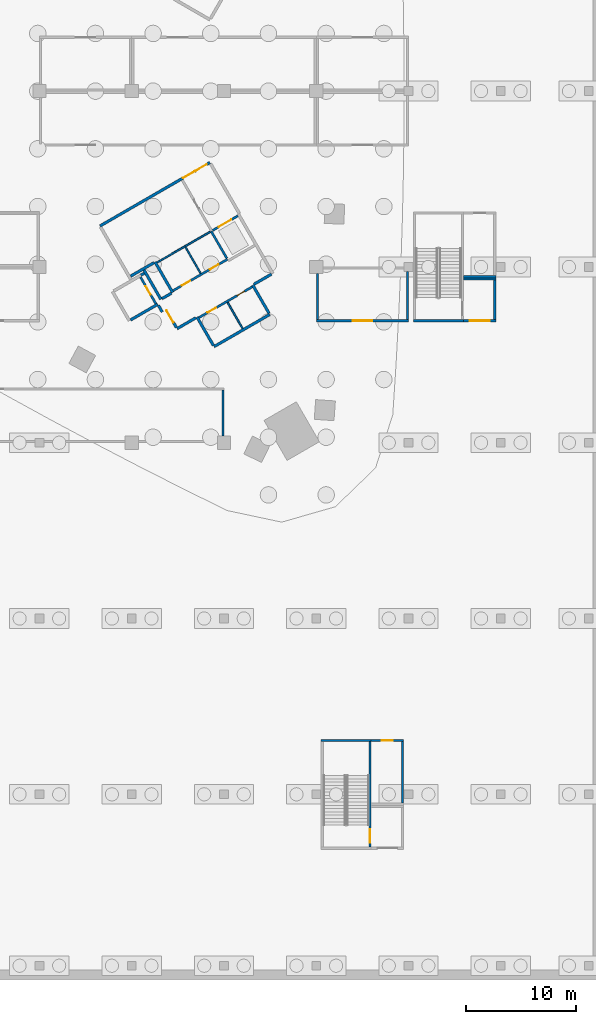
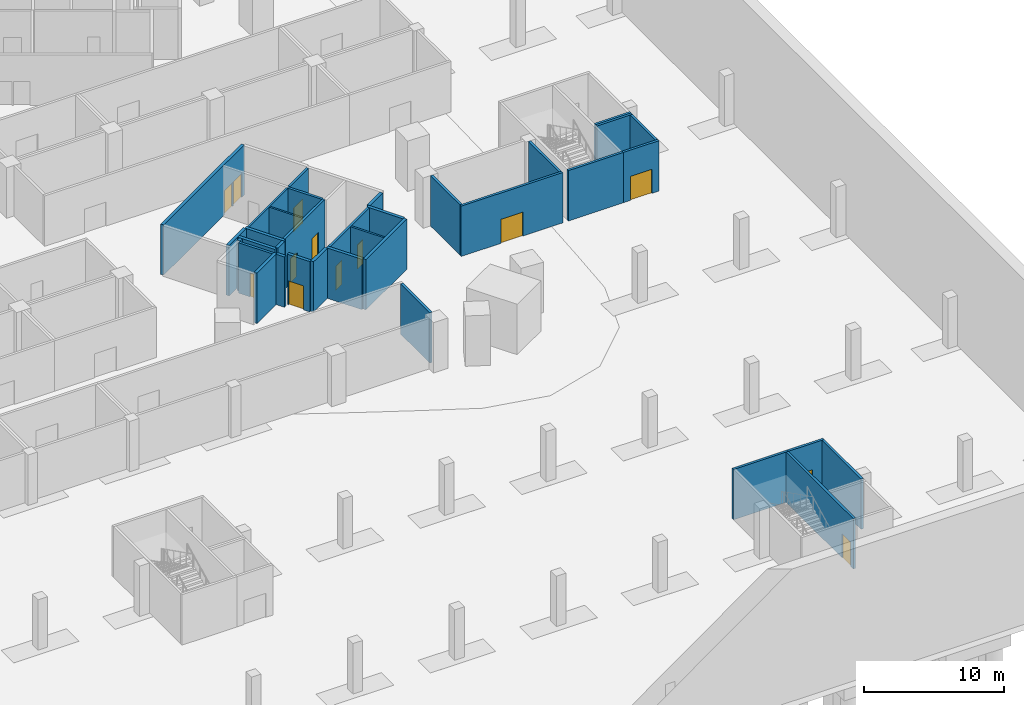
# One storey, part 16 of 46: 35 walls, 13 doors, 13 openings.
"""IFC4 building model written with IfcOpenShell, lengths in metres."""

from ifc_helpers import new_model, si_unit, direction, frame, frame_2d, origin, place, context, subcontext, project, spatial, rectangle, extrude, material, layer, layer_set, type_object, element, fill, save


model = new_model("IFC4")

# Units and contexts
model_context = context("Model", 3, precision=1e-05, world=origin(), true_north=direction((0.0, 1.0)))
body_context = subcontext(model_context, "Body", "Model", "MODEL_VIEW")
ifc_project = project(units=[si_unit("LENGTHUNIT", "METRE"), si_unit("AREAUNIT", "SQUARE_METRE"), si_unit("VOLUMEUNIT", "CUBIC_METRE"), si_unit("PLANEANGLEUNIT", "RADIAN"), si_unit("MASSUNIT", "GRAM", prefix="KILO")], contexts=[model_context])

# Site, building, storey
site_placement = place(None, origin())
site = spatial("IfcSite", under=ifc_project, at=site_placement, CompositionType="ELEMENT")
building_placement = place(site_placement, origin())
building = spatial("IfcBuilding", under=site, at=building_placement, Name="Tamra Quay Hotel Tower", CompositionType="ELEMENT")
storey_placement = place(building_placement, frame((0.0, 0.0, -12.0)))
storey = spatial("IfcBuildingStorey", under=building, at=storey_placement, Name="B3", CompositionType="ELEMENT", Elevation=-12.0)

# Wall
ifc_material_1 = material(Name="Blockwork", Category="masonry")
ifc_layer_1 = layer(ifc_material_1, 0.199951171875)
ifc_layer_set_1 = layer_set([ifc_layer_1], Name="Car park room wall 200")
wall_type_1 = type_object("IfcWallType", Name="Car park room wall 200", PredefinedType="PARTITIONING", material=ifc_layer_set_1)
wall_1_placement = place(storey_placement, frame((11.60009765625, -31.39990234375, 0.0), z_axis=(0.0, 0.0, 1.0), x_axis=(0.0, 1.0, 0.0)))
element("IfcWall", 1, at=wall_1_placement, inside=storey, type_object=wall_type_1, Name="PW", PredefinedType="PARTITIONING", context=body_context, shape_type="SweptSolid", body=[
    extrude(rectangle(XDim=4.199951171875, YDim=0.199951171875, at=frame_2d((2.10009765625, 0.0))), origin(), (0.0, 0.0, 1.0), 4.39990234375),
])

# Wall, opening, door
wall_2_placement = place(storey_placement, frame((20.10009765625, -20.89990234375, 0.0), z_axis=(0.0, 0.0, 1.0), x_axis=(1.0, 0.0, 0.0)))
wall_2 = element("IfcWall", 2, at=wall_2_placement, inside=storey, type_object=wall_type_1, Name="PW", PredefinedType="PARTITIONING", context=body_context, shape_type="SweptSolid", body=[
    extrude(rectangle(XDim=8.39990234375, YDim=0.199951171875, at=frame_2d((4.199951171875, 0.0))), origin(), (0.0, 0.0, 1.0), 4.39990234375),
])
opening_1_placement = place(wall_2_placement, frame((3.300048828125, 0.0, 0.0)))
opening_1 = element("IfcOpeningElement", 3, at=opening_1_placement, cuts=wall_2, Name="Opening PD2", PredefinedType="OPENING", context=body_context, shape_type="SweptSolid", body=[
    extrude(rectangle(XDim=1.800048828125, YDim=2.10009765625, at=frame_2d((0.89990234375, 1.050048828125))), frame((0.0, 0.10986328125, 0.0), z_axis=(0.0, -1.0, 0.0), x_axis=(1.0, 0.0, 0.0)), (0.0, 0.0, 1.0), 0.219970703125),
])
ifc_material_2 = material(Name="Plant door 1800 x 2100")
door_type_1 = type_object("IfcDoorType", Name="Plant door 1800 x 2100", OperationType="DOUBLE_DOOR_SINGLE_SWING", PredefinedType="DOOR", material=ifc_material_2)
door_1_placement = place(opening_1_placement, origin())
door_1 = element("IfcDoor", 4, at=door_1_placement, inside=storey, type_object=door_type_1, Name="PD2", OperationType="DOUBLE_DOOR_SINGLE_SWING", OverallHeight=2.10009765625, OverallWidth=1.800048828125, PredefinedType="DOOR", context=body_context, shape_type="SweptSolid", body=[
    extrude(rectangle(XDim=1.800048828125, YDim=2.10009765625, at=frame_2d((0.89990234375, 1.050048828125))), frame((0.0, 0.02490234375, 0.0), z_axis=(0.0, -1.0, 0.0), x_axis=(1.0, 0.0, 0.0)), (0.0, 0.0, 1.0), 0.050048828125),
])
fill(opening_1, door_1)

# Walls
wall_3_placement = place(storey_placement, frame((20.199951171875, -20.800048828125, 0.0), z_axis=(0.0, 0.0, 1.0), x_axis=(0.0, 1.0, 0.0)))
element("IfcWall", 5, at=wall_3_placement, inside=storey, type_object=wall_type_1, Name="PW", PredefinedType="PARTITIONING", context=body_context, shape_type="SweptSolid", body=[
    extrude(rectangle(XDim=4.199951171875, YDim=0.199951171875, at=frame_2d((2.10009765625, 0.0))), origin(), (0.0, 0.0, 1.0), 4.39990234375),
])
wall_4_placement = place(storey_placement, frame((28.39990234375, -20.800048828125, 0.0), z_axis=(0.0, 0.0, 1.0), x_axis=(0.0, 1.0, 0.0)))
element("IfcWall", 6, at=wall_4_placement, inside=storey, type_object=wall_type_1, Name="PW", PredefinedType="PARTITIONING", context=body_context, shape_type="SweptSolid", body=[
    extrude(rectangle(XDim=4.400146484375, YDim=0.199951171875, at=frame_2d((2.2001953125, 0.0))), origin(), (0.0, 0.0, 1.0), 4.39990234375),
])

# Wall, opening, door
wall_5_placement = place(storey_placement, frame((25.10009765625, -59.10009765625, 0.0), z_axis=(0.0, 0.0, 1.0), x_axis=(1.0, 0.0, 0.0)))
wall_5 = element("IfcWall", 7, at=wall_5_placement, inside=storey, type_object=wall_type_1, Name="PW", PredefinedType="PARTITIONING", context=body_context, shape_type="SweptSolid", body=[
    extrude(rectangle(XDim=2.949951171875, YDim=0.199951171875, at=frame_2d((1.47509765625, 0.0))), origin(), (0.0, 0.0, 1.0), 4.39990234375),
])
opening_2_placement = place(wall_5_placement, frame((0.97509765625, 0.0, 0.0)))
opening_2 = element("IfcOpeningElement", 8, at=opening_2_placement, cuts=wall_5, Name="Opening PD1", PredefinedType="OPENING", context=body_context, shape_type="SweptSolid", body=[
    extrude(rectangle(XDim=1.0, YDim=2.10009765625, at=frame_2d((0.5, 1.050048828125))), frame((0.0, 0.10986328125, 0.0), z_axis=(0.0, -1.0, 0.0), x_axis=(1.0, 0.0, 0.0)), (0.0, 0.0, 1.0), 0.219970703125),
])
ifc_material_3 = material(Name="Car park door 1000 x 2100")
door_type_2 = type_object("IfcDoorType", Name="Car park door 1000 x 2100", OperationType="NOTDEFINED", PredefinedType="DOOR", material=ifc_material_3)
door_2_placement = place(opening_2_placement, origin())
door_2 = element("IfcDoor", 9, at=door_2_placement, inside=storey, type_object=door_type_2, Name="PD1", OperationType="SINGLE_SWING_LEFT", OverallHeight=2.10009765625, OverallWidth=1.0, PredefinedType="DOOR", context=body_context, shape_type="SweptSolid", body=[
    extrude(rectangle(XDim=1.0, YDim=2.10009765625, at=frame_2d((0.5, 1.050048828125))), frame((0.0, 0.02490234375, 0.0), z_axis=(0.0, -1.0, 0.0), x_axis=(1.0, 0.0, 0.0)), (0.0, 0.0, 1.0), 0.050048828125),
])
fill(opening_2, door_2)

# Wall
wall_6_placement = place(storey_placement, frame((27.949951171875, -64.800048828125, 0.0), z_axis=(0.0, 0.0, 1.0), x_axis=(0.0, 1.0, 0.0)))
element("IfcWall", 10, at=wall_6_placement, inside=storey, type_object=wall_type_1, Name="PW", PredefinedType="PARTITIONING", context=body_context, shape_type="SweptSolid", body=[
    extrude(rectangle(XDim=5.60009765625, YDim=0.199951171875, at=frame_2d((2.800048828125, 0.0))), origin(), (0.0, 0.0, 1.0), 4.39990234375),
])

# Wall, opening, door
wall_7_placement = place(storey_placement, frame((33.5, -20.89990234375, 0.0), z_axis=(0.0, 0.0, 1.0), x_axis=(1.0, 0.0, 0.0)))
wall_7 = element("IfcWall", 11, at=wall_7_placement, inside=storey, type_object=wall_type_1, Name="PW", PredefinedType="PARTITIONING", context=body_context, shape_type="SweptSolid", body=[
    extrude(rectangle(XDim=2.949951171875, YDim=0.199951171875, at=frame_2d((1.47509765625, 0.0))), origin(), (0.0, 0.0, 1.0), 4.39990234375),
])
opening_3_placement = place(wall_7_placement, frame((0.574951171875, 0.0, 0.0)))
opening_3 = element("IfcOpeningElement", 12, at=opening_3_placement, cuts=wall_7, Name="Opening PD2", PredefinedType="OPENING", context=body_context, shape_type="SweptSolid", body=[
    extrude(rectangle(XDim=1.800048828125, YDim=2.10009765625, at=frame_2d((0.89990234375, 1.050048828125))), frame((0.0, 0.10986328125, 0.0), z_axis=(0.0, -1.0, 0.0), x_axis=(1.0, 0.0, 0.0)), (0.0, 0.0, 1.0), 0.219970703125),
])
door_3_placement = place(opening_3_placement, origin())
door_3 = element("IfcDoor", 13, at=door_3_placement, inside=storey, type_object=door_type_1, Name="PD2", OperationType="DOUBLE_DOOR_SINGLE_SWING", OverallHeight=2.10009765625, OverallWidth=1.800048828125, PredefinedType="DOOR", context=body_context, shape_type="SweptSolid", body=[
    extrude(rectangle(XDim=1.800048828125, YDim=2.10009765625, at=frame_2d((0.89990234375, 1.050048828125))), frame((0.0, 0.02490234375, 0.0), z_axis=(0.0, -1.0, 0.0), x_axis=(1.0, 0.0, 0.0)), (0.0, 0.0, 1.0), 0.050048828125),
])
fill(opening_3, door_3)

# Walls
wall_8_placement = place(storey_placement, frame((33.5, -17.10009765625, 0.0), z_axis=(0.0, 0.0, 1.0), x_axis=(1.0, 0.0, 0.0)))
element("IfcWall", 14, at=wall_8_placement, inside=storey, type_object=wall_type_1, Name="PW", PredefinedType="PARTITIONING", context=body_context, shape_type="SweptSolid", body=[
    extrude(rectangle(XDim=2.949951171875, YDim=0.199951171875, at=frame_2d((1.47509765625, 0.0))), origin(), (0.0, 0.0, 1.0), 4.39990234375),
])
wall_9_placement = place(storey_placement, frame((36.35009765625, -20.800048828125, 0.0), z_axis=(0.0, 0.0, 1.0), x_axis=(0.0, 1.0, 0.0)))
element("IfcWall", 15, at=wall_9_placement, inside=storey, type_object=wall_type_1, Name="PW", PredefinedType="PARTITIONING", context=body_context, shape_type="SweptSolid", body=[
    extrude(rectangle(XDim=3.60009765625, YDim=0.199951171875, at=frame_2d((1.800048828125, 0.0))), origin(), (0.0, 0.0, 1.0), 4.39990234375),
])
wall_10_placement = place(storey_placement, frame((33.5, -16.89990234375, 0.0), z_axis=(0.0, 0.0, 1.0), x_axis=(1.0, 0.0, 0.0)))
element("IfcWall", 16, at=wall_10_placement, inside=storey, type_object=wall_type_1, Name="PW", PredefinedType="PARTITIONING", context=body_context, shape_type="SweptSolid", body=[
    extrude(rectangle(XDim=2.949951171875, YDim=0.199951171875, at=frame_2d((1.47509765625, 0.0))), origin(), (0.0, 0.0, 1.0), 4.39990234375),
])

# Wall, openings, doors
ifc_material_4 = material(Name="Concrete M70", Category="concrete")
ifc_layer_2 = layer(ifc_material_4, 0.199951171875)
ifc_layer_set_2 = layer_set([ifc_layer_2], Name="Concrete M70 core wall 200")
wall_type_2 = type_object("IfcWallType", Name="Concrete M70 core wall 200", PredefinedType="SHEAR", material=ifc_layer_set_2)
wall_11_placement = place(storey_placement, frame((14.26806640625, -17.815185546875, 0.0), z_axis=(0.0, 0.0, 1.0), x_axis=(-0.866033794273, -0.499985466966, 0.0)))
wall_11 = element("IfcWall", 17, at=wall_11_placement, inside=storey, type_object=wall_type_2, Name="CW2", PredefinedType="SHEAR", context=body_context, shape_type="SweptSolid", body=[
    extrude(rectangle(XDim=5.597900390625, YDim=0.199951171875, at=frame_2d((2.798828125, 0.0))), origin(), (0.0, 0.0, 1.0), 4.39990234375),
])
opening_4_placement = place(wall_11_placement, frame((3.798828125, 0.0, 0.0)))
opening_4 = element("IfcOpeningElement", 18, at=opening_4_placement, cuts=wall_11, Name="Opening D2", PredefinedType="OPENING", context=body_context, shape_type="SweptSolid", body=[
    extrude(rectangle(XDim=0.89990234375, YDim=2.10009765625, at=frame_2d((0.449951171875, 1.050048828125))), frame((0.0, 0.10986328125, 0.0), z_axis=(0.0, -1.0, 0.0), x_axis=(1.0, 0.0, 0.0)), (0.0, 0.0, 1.0), 0.219970703125),
])
opening_5_placement = place(wall_11_placement, frame((0.798828125, 0.0, 0.0)))
opening_5 = element("IfcOpeningElement", 19, at=opening_5_placement, cuts=wall_11, Name="Opening D3", PredefinedType="OPENING", context=body_context, shape_type="SweptSolid", body=[
    extrude(rectangle(XDim=0.800048828125, YDim=2.10009765625, at=frame_2d((0.39990234375, 1.050048828125))), frame((0.0, 0.10986328125, 0.0), z_axis=(0.0, -1.0, 0.0), x_axis=(1.0, 0.0, 0.0)), (0.0, 0.0, 1.0), 0.219970703125),
])
ifc_material_5 = material(Name="Core door D2 900x2100 RH")
door_type_3 = type_object("IfcDoorType", Name="Core door D2 900x2100 RH", OperationType="NOTDEFINED", PredefinedType="DOOR", material=ifc_material_5)
door_4_placement = place(opening_4_placement, origin())
door_4 = element("IfcDoor", 20, at=door_4_placement, inside=storey, type_object=door_type_3, Name="D2", OperationType="SINGLE_SWING_RIGHT", OverallHeight=2.10009765625, OverallWidth=0.89990234375, PredefinedType="DOOR", context=body_context, shape_type="SweptSolid", body=[
    extrude(rectangle(XDim=0.89990234375, YDim=2.10009765625, at=frame_2d((0.449951171875, 1.050048828125))), frame((0.0, 0.02490234375, 0.0), z_axis=(0.0, -1.0, 0.0), x_axis=(1.0, 0.0, 0.0)), (0.0, 0.0, 1.0), 0.050048828125),
])
fill(opening_4, door_4)
ifc_material_6 = material(Name="Core door D3 800x2100 LH")
door_type_4 = type_object("IfcDoorType", Name="Core door D3 800x2100 LH", OperationType="NOTDEFINED", PredefinedType="DOOR", material=ifc_material_6)
door_5_placement = place(opening_5_placement, origin())
door_5 = element("IfcDoor", 21, at=door_5_placement, inside=storey, type_object=door_type_4, Name="D3", OperationType="SINGLE_SWING_LEFT", OverallHeight=2.10009765625, OverallWidth=0.800048828125, PredefinedType="DOOR", context=body_context, shape_type="SweptSolid", body=[
    extrude(rectangle(XDim=0.800048828125, YDim=2.10009765625, at=frame_2d((0.39990234375, 1.050048828125))), frame((0.0, 0.02490234375, 0.0), z_axis=(0.0, -1.0, 0.0), x_axis=(1.0, 0.0, 0.0)), (0.0, 0.0, 1.0), 0.050048828125),
])
fill(opening_5, door_5)

wall_12_placement = place(storey_placement, frame((7.0771484375, -18.156005859375, 0.0), z_axis=(0.0, 0.0, 1.0), x_axis=(0.866038630372, 0.499977090179, 0.0)))
wall_12 = element("IfcWall", 22, at=wall_12_placement, inside=storey, type_object=wall_type_2, Name="CW2", PredefinedType="SHEAR", context=body_context, shape_type="SweptSolid", body=[
    extrude(rectangle(XDim=5.698974609375, YDim=0.199951171875, at=frame_2d((2.849609375, 0.0))), origin(), (0.0, 0.0, 1.0), 4.39990234375),
])
opening_6_placement = place(wall_12_placement, frame((0.89892578125, 0.0, 0.0)))
opening_6 = element("IfcOpeningElement", 23, at=opening_6_placement, cuts=wall_12, Name="Opening D2", PredefinedType="OPENING", context=body_context, shape_type="SweptSolid", body=[
    extrude(rectangle(XDim=0.89990234375, YDim=2.10009765625, at=frame_2d((0.449951171875, 1.050048828125))), frame((0.0, 0.10986328125, 0.0), z_axis=(0.0, -1.0, 0.0), x_axis=(1.0, 0.0, 0.0)), (0.0, 0.0, 1.0), 0.219970703125),
])
opening_7_placement = place(wall_12_placement, frame((3.8740234375, 0.0, 0.0)))
opening_7 = element("IfcOpeningElement", 24, at=opening_7_placement, cuts=wall_12, Name="Opening D2", PredefinedType="OPENING", context=body_context, shape_type="SweptSolid", body=[
    extrude(rectangle(XDim=0.89990234375, YDim=2.10009765625, at=frame_2d((0.449951171875, 1.050048828125))), frame((0.0, 0.10986328125, 0.0), z_axis=(0.0, -1.0, 0.0), x_axis=(1.0, 0.0, 0.0)), (0.0, 0.0, 1.0), 0.219970703125),
])
ifc_material_7 = material(Name="Core door D2 900x2100 LH")
door_type_5 = type_object("IfcDoorType", Name="Core door D2 900x2100 LH", OperationType="NOTDEFINED", PredefinedType="DOOR", material=ifc_material_7)
door_6_placement = place(opening_7_placement, origin())
door_6 = element("IfcDoor", 25, at=door_6_placement, inside=storey, type_object=door_type_5, Name="D2", OperationType="SINGLE_SWING_LEFT", OverallHeight=2.10009765625, OverallWidth=0.89990234375, PredefinedType="DOOR", context=body_context, shape_type="SweptSolid", body=[
    extrude(rectangle(XDim=0.89990234375, YDim=2.10009765625, at=frame_2d((0.449951171875, 1.050048828125))), frame((0.0, 0.02490234375, 0.0), z_axis=(0.0, -1.0, 0.0), x_axis=(1.0, 0.0, 0.0)), (0.0, 0.0, 1.0), 0.050048828125),
])
fill(opening_7, door_6)
door_7_placement = place(opening_6_placement, origin())
door_7 = element("IfcDoor", 26, at=door_7_placement, inside=storey, type_object=door_type_3, Name="D2", OperationType="SINGLE_SWING_RIGHT", OverallHeight=2.10009765625, OverallWidth=0.89990234375, PredefinedType="DOOR", context=body_context, shape_type="SweptSolid", body=[
    extrude(rectangle(XDim=0.89990234375, YDim=2.10009765625, at=frame_2d((0.449951171875, 1.050048828125))), frame((0.0, 0.02490234375, 0.0), z_axis=(0.0, -1.0, 0.0), x_axis=(1.0, 0.0, 0.0)), (0.0, 0.0, 1.0), 0.050048828125),
])
fill(opening_6, door_7)

# Wall, opening, door
wall_13_placement = place(storey_placement, frame((5.50341796875, -19.352294921875, 0.0), z_axis=(0.0, 0.0, 1.0), x_axis=(-0.499986818241, 0.866033014143, 0.0)))
wall_13 = element("IfcWall", 27, at=wall_13_placement, inside=storey, type_object=wall_type_2, Name="CW2", PredefinedType="SHEAR", context=body_context, shape_type="SweptSolid", body=[
    extrude(rectangle(XDim=2.7978515625, YDim=0.199951171875, at=frame_2d((1.39892578125, 0.0))), origin(), (0.0, 0.0, 1.0), 4.39990234375),
])
opening_8_placement = place(wall_13_placement, frame((0.948974609375, 0.0, 0.0)))
opening_8 = element("IfcOpeningElement", 28, at=opening_8_placement, cuts=wall_13, Name="Opening D1", PredefinedType="OPENING", context=body_context, shape_type="SweptSolid", body=[
    extrude(rectangle(XDim=0.89990234375, YDim=2.10009765625, at=frame_2d((0.449951171875, 1.050048828125))), frame((0.0, 0.10986328125, 0.0), z_axis=(0.0, -1.0, 0.0), x_axis=(1.0, 0.0, 0.0)), (0.0, 0.0, 1.0), 0.219970703125),
])
ifc_material_8 = material(Name="Core door D1 900x2100 RH")
door_type_6 = type_object("IfcDoorType", Name="Core door D1 900x2100 RH", OperationType="NOTDEFINED", PredefinedType="DOOR", material=ifc_material_8)
door_8_placement = place(opening_8_placement, origin())
door_8 = element("IfcDoor", 29, at=door_8_placement, inside=storey, type_object=door_type_6, Name="D1", OperationType="SINGLE_SWING_RIGHT", OverallHeight=2.10009765625, OverallWidth=0.89990234375, PredefinedType="DOOR", context=body_context, shape_type="SweptSolid", body=[
    extrude(rectangle(XDim=0.89990234375, YDim=2.10009765625, at=frame_2d((0.449951171875, 1.050048828125))), frame((0.0, 0.02490234375, 0.0), z_axis=(0.0, -1.0, 0.0), x_axis=(1.0, 0.0, 0.0)), (0.0, 0.0, 1.0), 0.050048828125),
])
fill(opening_8, door_8)

# Wall
wall_14_placement = place(storey_placement, frame((11.962646484375, -15.219970703125, 0.0), z_axis=(0.0, 0.0, 1.0), x_axis=(-0.500036373335, 0.866004402611, 0.0)))
element("IfcWall", 30, at=wall_14_placement, inside=storey, type_object=wall_type_2, Name="CW2", PredefinedType="SHEAR", context=body_context, shape_type="SweptSolid", body=[
    extrude(rectangle(XDim=2.849853515625, YDim=0.199951171875, at=frame_2d((1.4248046875, 0.0))), origin(), (0.0, 0.0, 1.0), 4.39990234375),
])

# Wall, opening, door
wall_15_placement = place(storey_placement, frame((10.667724609375, -12.6767578125, 0.0), z_axis=(0.0, 0.0, 1.0), x_axis=(0.866016748302, 0.500014991436, 0.0)))
wall_15 = element("IfcWall", 31, at=wall_15_placement, inside=storey, type_object=wall_type_2, Name="CW2", PredefinedType="SHEAR", context=body_context, shape_type="SweptSolid", body=[
    extrude(rectangle(XDim=2.64892578125, YDim=0.199951171875, at=frame_2d((1.324462890625, 0.0))), origin(), (0.0, 0.0, 1.0), 4.39990234375),
])
opening_9_placement = place(wall_15_placement, frame((0.64990234375, 0.0, 0.0)))
opening_9 = element("IfcOpeningElement", 32, at=opening_9_placement, cuts=wall_15, Name="Opening LD", PredefinedType="OPENING", context=body_context, shape_type="SweptSolid", body=[
    extrude(rectangle(XDim=1.300048828125, YDim=2.10009765625, at=frame_2d((0.64990234375, 1.050048828125))), frame((0.0, 0.10986328125, 0.0), z_axis=(0.0, -1.0, 0.0), x_axis=(1.0, 0.0, 0.0)), (0.0, 0.0, 1.0), 0.219970703125),
])
ifc_material_9 = material(Name="Landing door LD 1300 sliding to left")
door_type_7 = type_object("IfcDoorType", Name="Landing door LD 1300 sliding to left", OperationType="NOTDEFINED", PredefinedType="DOOR", material=ifc_material_9)
door_9_placement = place(opening_9_placement, origin())
door_9 = element("IfcDoor", 33, at=door_9_placement, inside=storey, type_object=door_type_7, Name="LD", OperationType="SLIDING_TO_LEFT", OverallHeight=2.10009765625, OverallWidth=1.300048828125, PredefinedType="DOOR", context=body_context, shape_type="SweptSolid", body=[
    extrude(rectangle(XDim=1.300048828125, YDim=2.10009765625, at=frame_2d((0.64990234375, 1.050048828125))), frame((0.0, 0.02490234375, 0.0), z_axis=(0.0, -1.0, 0.0), x_axis=(1.0, 0.0, 0.0)), (0.0, 0.0, 1.0), 0.050048828125),
])
fill(opening_9, door_9)

# Wall, openings, doors
ifc_layer_3 = layer(ifc_material_4, 0.25)
ifc_layer_set_3 = layer_set([ifc_layer_3], Name="Concrete M70 core wall 250")
wall_type_3 = type_object("IfcWallType", Name="Concrete M70 core wall 250", PredefinedType="SHEAR", material=ifc_layer_set_3)
wall_16_placement = place(storey_placement, frame((0.417236328125, -12.27294921875, 0.0), z_axis=(0.0, 0.0, 1.0), x_axis=(0.866021906294, 0.500006057782, 0.0)))
wall_16 = element("IfcWall", 34, at=wall_16_placement, inside=storey, type_object=wall_type_3, Name="CW1", PredefinedType="SHEAR", context=body_context, shape_type="SweptSolid", body=[
    extrude(rectangle(XDim=11.550048828125, YDim=0.25, at=frame_2d((5.77490234375, 0.0))), origin(), (0.0, 0.0, 1.0), 4.39990234375),
])
opening_10_placement = place(wall_16_placement, frame((10.024658203125, 0.0, 0.0)))
opening_10 = element("IfcOpeningElement", 35, at=opening_10_placement, cuts=wall_16, Name="Opening FD1", PredefinedType="OPENING", context=body_context, shape_type="SweptSolid", body=[
    extrude(rectangle(XDim=1.199951171875, YDim=2.10009765625, at=frame_2d((0.60009765625, 1.050048828125))), frame((0.0, 0.135009765625, 0.0), z_axis=(0.0, -1.0, 0.0), x_axis=(1.0, 0.0, 0.0)), (0.0, 0.0, 1.0), 0.27001953125),
])
opening_11_placement = place(wall_16_placement, frame((8.724609375, 0.0, 0.0)))
opening_11 = element("IfcOpeningElement", 36, at=opening_11_placement, cuts=wall_16, Name="Opening FD1", PredefinedType="OPENING", context=body_context, shape_type="SweptSolid", body=[
    extrude(rectangle(XDim=1.199951171875, YDim=2.10009765625, at=frame_2d((0.60009765625, 1.050048828125))), frame((0.0, 0.135009765625, 0.0), z_axis=(0.0, -1.0, 0.0), x_axis=(1.0, 0.0, 0.0)), (0.0, 0.0, 1.0), 0.27001953125),
])
ifc_material_10 = material(Name="Core door FD1 1200x2100 LH")
door_type_8 = type_object("IfcDoorType", Name="Core door FD1 1200x2100 LH", OperationType="NOTDEFINED", PredefinedType="DOOR", material=ifc_material_10)
door_10_placement = place(opening_10_placement, origin())
door_10 = element("IfcDoor", 37, at=door_10_placement, inside=storey, type_object=door_type_8, Name="FD1", OperationType="SINGLE_SWING_LEFT", OverallHeight=2.10009765625, OverallWidth=1.199951171875, PredefinedType="DOOR", context=body_context, shape_type="SweptSolid", body=[
    extrude(rectangle(XDim=1.199951171875, YDim=2.10009765625, at=frame_2d((0.60009765625, 1.050048828125))), frame((0.0, 0.02490234375, 0.0), z_axis=(0.0, -1.0, 0.0), x_axis=(1.0, 0.0, 0.0)), (0.0, 0.0, 1.0), 0.050048828125),
])
fill(opening_10, door_10)
ifc_material_11 = material(Name="Core door FD1 1200x2100 RH")
door_type_9 = type_object("IfcDoorType", Name="Core door FD1 1200x2100 RH", OperationType="NOTDEFINED", PredefinedType="DOOR", material=ifc_material_11)
door_11_placement = place(opening_11_placement, origin())
door_11 = element("IfcDoor", 38, at=door_11_placement, inside=storey, type_object=door_type_9, Name="FD1", OperationType="SINGLE_SWING_RIGHT", OverallHeight=2.10009765625, OverallWidth=1.199951171875, PredefinedType="DOOR", context=body_context, shape_type="SweptSolid", body=[
    extrude(rectangle(XDim=1.199951171875, YDim=2.10009765625, at=frame_2d((0.60009765625, 1.050048828125))), frame((0.0, 0.02490234375, 0.0), z_axis=(0.0, -1.0, 0.0), x_axis=(1.0, 0.0, 0.0)), (0.0, 0.0, 1.0), 0.050048828125),
])
fill(opening_11, door_11)

# Walls
wall_17_placement = place(storey_placement, frame((15.86474609375, -20.328369140625, 0.0), z_axis=(0.0, 0.0, 1.0), x_axis=(-0.86602852612, -0.499994591916, 0.0)))
element("IfcWall", 39, at=wall_17_placement, inside=storey, type_object=wall_type_3, Name="CW1", PredefinedType="SHEAR", context=body_context, shape_type="SweptSolid", body=[
    extrude(rectangle(XDim=5.85009765625, YDim=0.25, at=frame_2d((2.925048828125, 0.0))), origin(), (0.0, 0.0, 1.0), 4.39990234375),
])
wall_18_placement = place(storey_placement, frame((7.030517578125, -18.327392578125, 0.0), z_axis=(0.0, 0.0, 1.0), x_axis=(-0.499971222258, 0.866042017984, 0.0)))
element("IfcWall", 40, at=wall_18_placement, inside=storey, type_object=wall_type_3, Name="CW1", PredefinedType="SHEAR", context=body_context, shape_type="SweptSolid", body=[
    extrude(rectangle(XDim=3.199951171875, YDim=0.25, at=frame_2d((1.60009765625, 0.0))), origin(), (0.0, 0.0, 1.0), 4.39990234375),
])
for number, where, z_axis, x_axis, name in (
    (41, (14.314697265625, -17.643798828125, 0.0), (0.0, 0.0, 1.0), (0.500023226632, -0.866011993467, 0.0), "CW1"),
    (42, (10.73583984375, -23.144775390625, 0.0), (0.0, 0.0, 1.0), (-0.500023226632, 0.866011993467, 0.0), "CW1"),
):
    element("IfcWall", number, at=place(storey_placement, frame(where, z_axis=z_axis, x_axis=x_axis)), inside=storey, type_object=wall_type_3, Name=name, PredefinedType="SHEAR", context=body_context, shape_type="SweptSolid", body=[
        extrude(rectangle(XDim=2.974365234375, YDim=0.25, at=frame_2d((1.4873046875, 0.0))), origin(), (0.0, 0.0, 1.0), 4.39990234375),
    ])
wall_19_placement = place(storey_placement, frame((5.6748046875, -19.39892578125, 0.0), z_axis=(0.0, 0.0, 1.0), x_axis=(-0.866026637627, -0.499997862916, 0.0)))
element("IfcWall", 43, at=wall_19_placement, inside=storey, type_object=wall_type_3, Name="CW1", PredefinedType="SHEAR", context=body_context, shape_type="SweptSolid", body=[
    extrude(rectangle(XDim=2.86474609375, YDim=0.25, at=frame_2d((1.432373046875, 0.0))), origin(), (0.0, 0.0, 1.0), 4.39990234375),
])
wall_20_placement = place(storey_placement, frame((4.414306640625, -16.275634765625, 0.0), z_axis=(0.0, 0.0, 1.0), x_axis=(0.500003324108, -0.866023484601, 0.0)))
element("IfcWall", 44, at=wall_20_placement, inside=storey, type_object=wall_type_3, Name="CW1", PredefinedType="SHEAR", context=body_context, shape_type="SweptSolid", body=[
    extrude(rectangle(XDim=3.0849609375, YDim=0.25, at=frame_2d((1.54248046875, 0.0))), origin(), (0.0, 0.0, 1.0), 4.39990234375),
])
wall_21_placement = place(storey_placement, frame((5.322021484375, -15.618896484375, 0.0), z_axis=(0.0, 0.0, 1.0), x_axis=(-0.866026229868, -0.499998569178, 0.0)))
element("IfcWall", 45, at=wall_21_placement, inside=storey, type_object=wall_type_3, Name="CW1", PredefinedType="SHEAR", context=body_context, shape_type="SweptSolid", body=[
    extrude(rectangle(XDim=2.44921875, YDim=0.25, at=frame_2d((1.224609375, 0.0))), origin(), (0.0, 0.0, 1.0), 4.39990234375),
])
wall_22_placement = place(storey_placement, frame((9.139892578125, -20.63134765625, 0.0), z_axis=(0.0, 0.0, 1.0), x_axis=(-0.866043531843, -0.499968599967, 0.0)))
element("IfcWall", 46, at=wall_22_placement, inside=storey, type_object=wall_type_3, Name="CW1", PredefinedType="SHEAR", context=body_context, shape_type="SweptSolid", body=[
    extrude(rectangle(XDim=1.974853515625, YDim=0.25, at=frame_2d((0.9873046875, 0.0))), origin(), (0.0, 0.0, 1.0), 4.39990234375),
])
wall_23_placement = place(storey_placement, frame((16.024658203125, -16.656494140625, 0.0), z_axis=(0.0, 0.0, 1.0), x_axis=(-0.866016279763, -0.500015802937, 0.0)))
element("IfcWall", 47, at=wall_23_placement, inside=storey, type_object=wall_type_3, Name="CW1", PredefinedType="SHEAR", context=body_context, shape_type="SweptSolid", body=[
    extrude(rectangle(XDim=1.84912109375, YDim=0.25, at=frame_2d((0.924560546875, 0.0))), origin(), (0.0, 0.0, 1.0), 4.39990234375),
])

# Wall, opening, door
wall_24_placement = place(storey_placement, frame((7.3671875, -21.51025390625, 0.0), z_axis=(0.0, 0.0, 1.0), x_axis=(-0.499983108224, 0.866035156036, 0.0)))
wall_24 = element("IfcWall", 48, at=wall_24_placement, inside=storey, type_object=wall_type_3, Name="CW1", PredefinedType="SHEAR", context=body_context, shape_type="SweptSolid", body=[
    extrude(rectangle(XDim=1.86474609375, YDim=0.25, at=frame_2d((0.932373046875, 0.0))), origin(), (0.0, 0.0, 1.0), 4.39990234375),
])
opening_12_placement = place(wall_24_placement, frame((0.53466796875, 0.0, 0.0)))
opening_12 = element("IfcOpeningElement", 49, at=opening_12_placement, cuts=wall_24, Name="Opening FD3", PredefinedType="OPENING", context=body_context, shape_type="SweptSolid", body=[
    extrude(rectangle(XDim=1.25, YDim=2.10009765625, at=frame_2d((0.625, 1.050048828125))), frame((0.0, 0.135009765625, 0.0), z_axis=(0.0, -1.0, 0.0), x_axis=(1.0, 0.0, 0.0)), (0.0, 0.0, 1.0), 0.27001953125),
])
ifc_material_12 = material(Name="Core door FD3 1250x2100 LH")
door_type_10 = type_object("IfcDoorType", Name="Core door FD3 1250x2100 LH", OperationType="NOTDEFINED", PredefinedType="DOOR", material=ifc_material_12)
door_12_placement = place(opening_12_placement, origin())
door_12 = element("IfcDoor", 50, at=door_12_placement, inside=storey, type_object=door_type_10, Name="FD3", OperationType="SINGLE_SWING_LEFT", OverallHeight=2.10009765625, OverallWidth=1.25, PredefinedType="DOOR", context=body_context, shape_type="SweptSolid", body=[
    extrude(rectangle(XDim=1.25, YDim=2.10009765625, at=frame_2d((0.625, 1.050048828125))), frame((0.0, 0.02490234375, 0.0), z_axis=(0.0, -1.0, 0.0), x_axis=(1.0, 0.0, 0.0)), (0.0, 0.0, 1.0), 0.050048828125),
])
fill(opening_12, door_12)

# Walls
wall_25_placement = place(storey_placement, frame((6.0654296875, -18.884765625, 0.0), z_axis=(0.0, 0.0, 1.0), x_axis=(0.866017078145, 0.500014420154, 0.0)))
element("IfcWall", 51, at=wall_25_placement, inside=storey, type_object=wall_type_3, Name="CW1", PredefinedType="SHEAR", context=body_context, shape_type="SweptSolid", body=[
    extrude(rectangle(XDim=0.9892578125, YDim=0.25, at=frame_2d((0.49462890625, 0.0))), origin(), (0.0, 0.0, 1.0), 4.39990234375),
])
wall_26_placement = place(storey_placement, frame((6.07958984375, -20.100341796875, 0.0), z_axis=(0.0, 0.0, 1.0), x_axis=(-0.500051773299, 0.865995510393, 0.0)))
element("IfcWall", 52, at=wall_26_placement, inside=storey, type_object=wall_type_3, Name="CW1", PredefinedType="SHEAR", context=body_context, shape_type="SweptSolid", body=[
    extrude(rectangle(XDim=0.6845703125, YDim=0.25, at=frame_2d((0.34228515625, 0.0))), origin(), (0.0, 0.0, 1.0), 4.39990234375),
])
wall_27_placement = place(storey_placement, frame((4.144775390625, -16.748779296875, 0.0), z_axis=(0.0, 0.0, 1.0), x_axis=(0.866185586049, 0.49972245349, 0.0)))
element("IfcWall", 53, at=wall_27_placement, inside=storey, type_object=wall_type_3, Name="CW1", PredefinedType="SHEAR", context=body_context, shape_type="SweptSolid", body=[
    extrude(rectangle(XDim=0.344482421875, YDim=0.25, at=frame_2d((0.17236328125, 0.0))), origin(), (0.0, 0.0, 1.0), 4.39990234375),
])

# Wall, opening, door
ifc_layer_4 = layer(ifc_material_4, 0.199951171875)
ifc_layer_set_4 = layer_set([ifc_layer_4], Name="Concrete M70 stair enclosure wall 200")
wall_type_4 = type_object("IfcWallType", Name="Concrete M70 stair enclosure wall 200", PredefinedType="SOLIDWALL", material=ifc_layer_set_4)
wall_28_placement = place(storey_placement, frame((25.0, -68.800048828125, 0.0), z_axis=(0.0, 0.0, 1.0), x_axis=(0.0, 1.0, 0.0)))
wall_28 = element("IfcWall", 54, at=wall_28_placement, inside=storey, type_object=wall_type_4, Name="SEW", PredefinedType="SOLIDWALL", context=body_context, shape_type="SweptSolid", body=[
    extrude(rectangle(XDim=9.60009765625, YDim=0.199951171875, at=frame_2d((4.800048828125, 0.0))), origin(), (0.0, 0.0, 1.0), 4.39990234375),
])
opening_13_placement = place(wall_28_placement, frame((0.39990234375, 0.0, 0.0)))
opening_13 = element("IfcOpeningElement", 55, at=opening_13_placement, cuts=wall_28, Name="Opening SD1", PredefinedType="OPENING", context=body_context, shape_type="SweptSolid", body=[
    extrude(rectangle(XDim=1.199951171875, YDim=2.10009765625, at=frame_2d((0.60009765625, 1.050048828125))), frame((0.0, 0.10986328125, 0.0), z_axis=(0.0, -1.0, 0.0), x_axis=(1.0, 0.0, 0.0)), (0.0, 0.0, 1.0), 0.219970703125),
])
ifc_material_13 = material(Name="Stair door 1200 x 2100")
door_type_11 = type_object("IfcDoorType", Name="Stair door 1200 x 2100", OperationType="NOTDEFINED", PredefinedType="DOOR", material=ifc_material_13)
door_13_placement = place(opening_13_placement, origin())
door_13 = element("IfcDoor", 56, at=door_13_placement, inside=storey, type_object=door_type_11, Name="SD1", OperationType="SINGLE_SWING_LEFT", OverallHeight=2.10009765625, OverallWidth=1.199951171875, PredefinedType="DOOR", context=body_context, shape_type="SweptSolid", body=[
    extrude(rectangle(XDim=1.199951171875, YDim=2.10009765625, at=frame_2d((0.60009765625, 1.050048828125))), frame((0.0, 0.02490234375, 0.0), z_axis=(0.0, -1.0, 0.0), x_axis=(1.0, 0.0, 0.0)), (0.0, 0.0, 1.0), 0.050048828125),
])
fill(opening_13, door_13)

# Walls
for number, where, z_axis, x_axis, name in (
    (57, (20.550048828125, -59.10009765625, 0.0), (0.0, 0.0, 1.0), (1.0, 0.0, 0.0), "SEW"),
    (58, (33.5, -20.89990234375, 0.0), (0.0, 0.0, 1.0), (-1.0, 0.0, 0.0), "SEW"),
):
    element("IfcWall", number, at=place(storey_placement, frame(where, z_axis=z_axis, x_axis=x_axis)), inside=storey, type_object=wall_type_4, Name=name, PredefinedType="SOLIDWALL", context=body_context, shape_type="SweptSolid", body=[
        extrude(rectangle(XDim=4.550048828125, YDim=0.199951171875, at=frame_2d((2.27490234375, 0.0))), origin(), (0.0, 0.0, 1.0), 4.39990234375),
    ])
ifc_layer_5 = layer(ifc_material_1, 0.14990234375)
ifc_layer_set_5 = layer_set([ifc_layer_5], Name="Core partition block 150")
wall_type_5 = type_object("IfcWallType", Name="Core partition block 150", PredefinedType="PARTITIONING", material=ifc_layer_set_5)
wall_29_placement = place(storey_placement, frame((10.45166015625, -12.801513671875, 0.0), z_axis=(0.0, 0.0, 1.0), x_axis=(-0.866015695474, -0.500016814911, 0.0)))
element("IfcWall", 59, at=wall_29_placement, inside=storey, type_object=wall_type_5, Name="CP1", PredefinedType="PARTITIONING", context=body_context, shape_type="SweptSolid", body=[
    extrude(rectangle(XDim=5.599853515625, YDim=0.14990234375, at=frame_2d((2.7998046875, 0.0))), origin(), (0.0, 0.0, 1.0), 4.39990234375),
])
wall_30_placement = place(storey_placement, frame((12.0244140625, -19.226806640625, 0.0), z_axis=(0.0, 0.0, 1.0), x_axis=(0.499988999718, -0.866031754707, 0.0)))
element("IfcWall", 60, at=wall_30_placement, inside=storey, type_object=wall_type_5, Name="CP1", PredefinedType="PARTITIONING", context=body_context, shape_type="SweptSolid", body=[
    extrude(rectangle(XDim=2.74853515625, YDim=0.14990234375, at=frame_2d((1.374267578125, 0.0))), origin(), (0.0, 0.0, 1.0), 4.39990234375),
])
wall_31_placement = place(storey_placement, frame((8.194091796875, -14.1923828125, 0.0), z_axis=(0.0, 0.0, 1.0), x_axis=(0.500001852011, -0.866024334523, 0.0)))
element("IfcWall", 61, at=wall_31_placement, inside=storey, type_object=wall_type_5, Name="CP1", PredefinedType="PARTITIONING", context=body_context, shape_type="SweptSolid", body=[
    extrude(rectangle(XDim=2.7734375, YDim=0.14990234375, at=frame_2d((1.38671875, 0.0))), origin(), (0.0, 0.0, 1.0), 4.39990234375),
])

save(model, "model.ifc")
